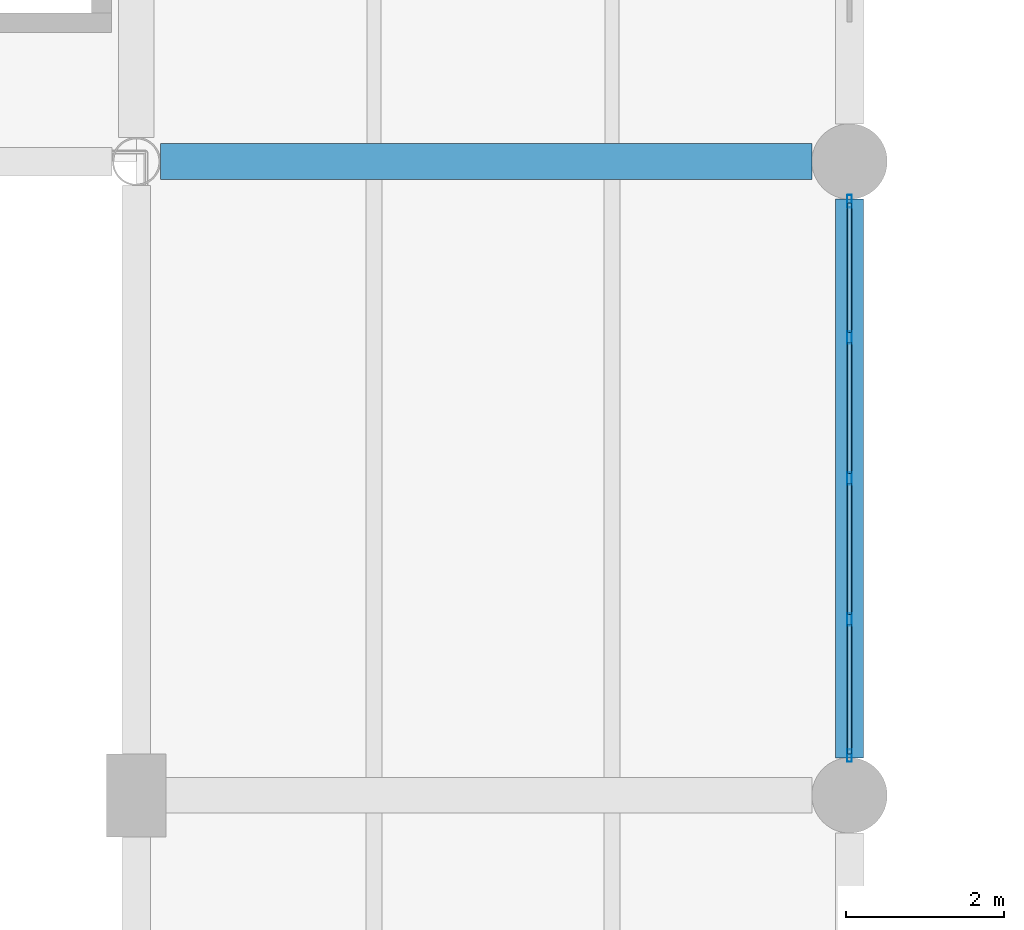
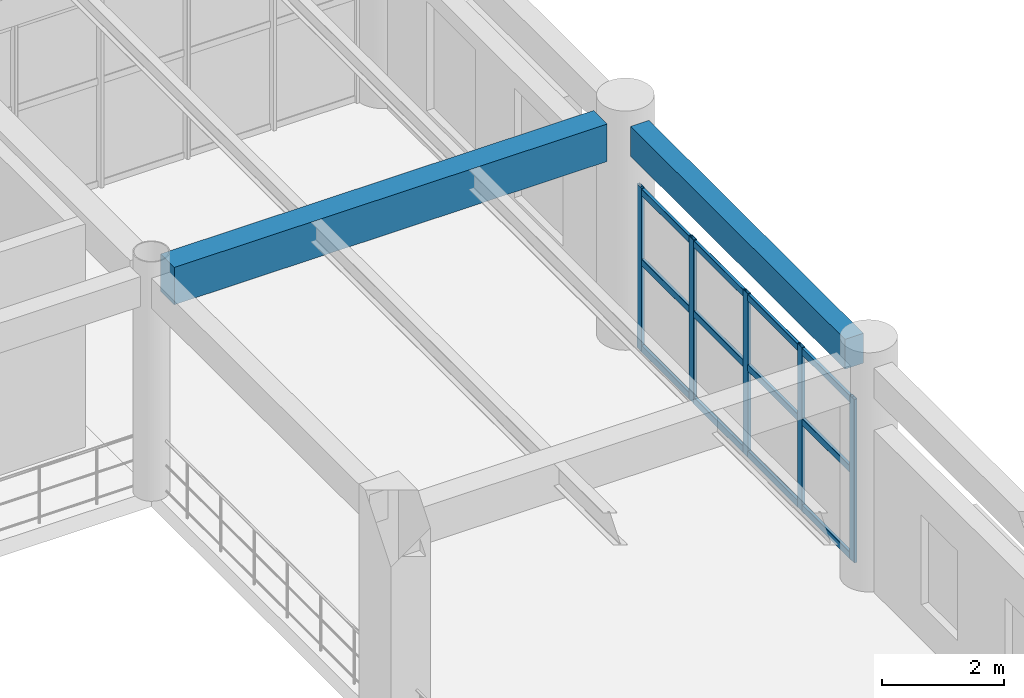
# One storey, part 98 of 178: 17 members, 2 beams, 1 element without a shape of its own.
"""IFC4 building model written with IfcOpenShell, lengths in metres."""

from ifc_helpers import new_model, si_unit, derived_unit, direction, frame, origin, origin_2d, place, context, subcontext, project, spatial, rectangle, hollow_rectangle, extrude, material, material_profile, profile_set, type_object, element, aggregate, save


model = new_model("IFC4")

# Units and contexts
model_context = context("Model", 3, precision=1e-05, world=origin(), true_north=direction((0.0, 1.0)))
body_context = subcontext(model_context, "Body", "Model", "MODEL_VIEW")
ifc_project = project(units=[si_unit("LENGTHUNIT", "METRE"), si_unit("AREAUNIT", "SQUARE_METRE"), si_unit("VOLUMEUNIT", "CUBIC_METRE"), si_unit("PLANEANGLEUNIT", "RADIAN"), si_unit("MASSUNIT", "GRAM", prefix="KILO"), derived_unit("THERMALTRANSMITTANCEUNIT", [(si_unit("MASSUNIT", "GRAM", prefix="KILO"), 1), (si_unit("TIMEUNIT", "SECOND"), -3), (si_unit("THERMODYNAMICTEMPERATUREUNIT", "KELVIN"), -1)])], contexts=[model_context])

# Site, building, storey
site_placement = place(None, origin())
site = spatial("IfcSite", under=ifc_project, at=site_placement, CompositionType="ELEMENT")
building_placement = place(site_placement, origin())
building = spatial("IfcBuilding", under=site, at=building_placement, Name="Zhenchuan Archway Interchange", CompositionType="ELEMENT")
storey_placement = place(building_placement, frame((0.0, 0.0, 5.39990234375)))
storey = spatial("IfcBuildingStorey", under=building, at=storey_placement, Name="L01", CompositionType="ELEMENT", Elevation=5.39990234375)

# Beam
ifc_material_1 = material(Name="Concrete C40", Category="concrete")
ifc_material_profile_1 = material_profile(ifc_material_1, rectangle(XDim=0.449951171875, YDim=0.75, at=origin_2d()), Name="RC 450x750")
ifc_profile_set_1 = profile_set([ifc_material_profile_1], Name="Concrete C40")
beam_type_1 = type_object("IfcBeamType", Name="BM_RC_450x750", PredefinedType="BEAM", material=ifc_profile_set_1)
beam_1_placement = place(storey_placement, frame((63.304931640625, 80.0, 4.135009765625), z_axis=(1.0, 0.0, 0.0), x_axis=(0.0, 1.0, 0.0)))
element("IfcBeam", 1, at=beam_1_placement, inside=storey, type_object=beam_type_1, Name="Beam L:8-9 (L01)", PredefinedType="BEAM", context=body_context, shape_type="SweptSolid", body=[
    extrude(rectangle(XDim=0.449951171875, YDim=0.75, at=origin_2d()), origin(), (0.0, 0.0, 1.0), 8.219970703125),
])

# Curtain wall, members
ifc_material_2 = material(Name="Anodised Aluminium", Category="aluminium")
curtain_wall_type = type_object("IfcCurtainWallType", Name="CW_UNIT_2", PredefinedType="NOTDEFINED", material=ifc_material_2)
curtain_wall_placement = place(storey_placement, origin())
curtain_wall = element("IfcCurtainWall", 2, at=curtain_wall_placement, inside=storey, type_object=curtain_wall_type, Name="Unitised curtain wall CW:L01:053", PredefinedType="NOTDEFINED")
ifc_material_profile_2 = material_profile(ifc_material_2, hollow_rectangle(XDim=0.06005859375, YDim=0.159912109375, WallThickness=0.00390625, InnerFilletRadius=0.00390625, OuterFilletRadius=0.008056640625, at=origin_2d()), Name="ALU 160x60x4")
ifc_profile_set_2 = profile_set([ifc_material_profile_2], Name="Anodised Aluminium")
member_type_1 = type_object("IfcMemberType", Name="CW_MUL_150", PredefinedType="MULLION", material=ifc_profile_set_2)
member_1_placement = place(storey_placement, frame((72.0, 79.498046875, 0.0), z_axis=(0.0, 0.0, 1.0), x_axis=(1.0, 0.0, 0.0)))
member_1 = element("IfcMember", 3, at=member_1_placement, type_object=member_type_1, Name="CW:L01:053 mullion 0", PredefinedType="MULLION", context=body_context, shape_type="SweptSolid", body=[
    extrude(hollow_rectangle(XDim=0.06005859375, YDim=0.159912109375, WallThickness=0.00390625, InnerFilletRadius=0.00390625, OuterFilletRadius=0.008056640625, at=origin_2d()), origin(), (0.0, 0.0, 1.0), 3.280029296875),
])
member_2_placement = place(storey_placement, frame((72.0, 77.779052734375, 0.0), z_axis=(0.0, 0.0, 1.0), x_axis=(1.0, 0.0, 0.0)))
member_2 = element("IfcMember", 4, at=member_2_placement, type_object=member_type_1, Name="CW:L01:053 mullion 1", PredefinedType="MULLION", context=body_context, shape_type="SweptSolid", body=[
    extrude(hollow_rectangle(XDim=0.06005859375, YDim=0.159912109375, WallThickness=0.00390625, InnerFilletRadius=0.00390625, OuterFilletRadius=0.008056640625, at=origin_2d()), origin(), (0.0, 0.0, 1.0), 3.280029296875),
])
member_3_placement = place(storey_placement, frame((72.0, 76.0, 0.0), z_axis=(0.0, 0.0, 1.0), x_axis=(1.0, 0.0, 0.0)))
member_3 = element("IfcMember", 5, at=member_3_placement, type_object=member_type_1, Name="CW:L01:053 mullion 2", PredefinedType="MULLION", context=body_context, shape_type="SweptSolid", body=[
    extrude(hollow_rectangle(XDim=0.06005859375, YDim=0.159912109375, WallThickness=0.00390625, InnerFilletRadius=0.00390625, OuterFilletRadius=0.008056640625, at=origin_2d()), origin(), (0.0, 0.0, 1.0), 3.280029296875),
])
member_4_placement = place(storey_placement, frame((72.0, 74.220947265625, 0.0), z_axis=(0.0, 0.0, 1.0), x_axis=(1.0, 0.0, 0.0)))
member_4 = element("IfcMember", 6, at=member_4_placement, type_object=member_type_1, Name="CW:L01:053 mullion 3", PredefinedType="MULLION", context=body_context, shape_type="SweptSolid", body=[
    extrude(hollow_rectangle(XDim=0.06005859375, YDim=0.159912109375, WallThickness=0.00390625, InnerFilletRadius=0.00390625, OuterFilletRadius=0.008056640625, at=origin_2d()), origin(), (0.0, 0.0, 1.0), 3.280029296875),
])
member_5_placement = place(storey_placement, frame((72.0, 72.501953125, 0.0), z_axis=(0.0, 0.0, 1.0), x_axis=(1.0, 0.0, 0.0)))
member_5 = element("IfcMember", 7, at=member_5_placement, type_object=member_type_1, Name="CW:L01:053 mullion 4", PredefinedType="MULLION", context=body_context, shape_type="SweptSolid", body=[
    extrude(hollow_rectangle(XDim=0.06005859375, YDim=0.159912109375, WallThickness=0.00390625, InnerFilletRadius=0.00390625, OuterFilletRadius=0.008056640625, at=origin_2d()), origin(), (0.0, 0.0, 1.0), 3.280029296875),
])
ifc_material_profile_3 = material_profile(ifc_material_2, hollow_rectangle(XDim=0.06005859375, YDim=0.139892578125, WallThickness=0.00341796875, InnerFilletRadius=0.00341796875, OuterFilletRadius=0.007080078125, at=origin_2d()), Name="ALU 140x60x3.5")
ifc_profile_set_3 = profile_set([ifc_material_profile_3], Name="Anodised Aluminium")
member_type_2 = type_object("IfcMemberType", Name="CW_TRN_140", PredefinedType="USERDEFINED", material=ifc_profile_set_3)
member_6_placement = place(storey_placement, frame((72.0, 79.47802734375, 0.06005859375), z_axis=(0.0, -1.0, 0.0), x_axis=(1.0, 0.0, 0.0)))
member_6 = element("IfcMember", 8, at=member_6_placement, type_object=member_type_2, Name="CW:L01:053 transom 0-1", ObjectType="TRANSOM", PredefinedType="USERDEFINED", context=body_context, shape_type="SweptSolid", body=[
    extrude(hollow_rectangle(XDim=0.06005859375, YDim=0.139892578125, WallThickness=0.00341796875, InnerFilletRadius=0.00341796875, OuterFilletRadius=0.007080078125, at=origin_2d()), origin(), (0.0, 0.0, 1.0), 1.638916015625),
])
member_7_placement = place(storey_placement, frame((72.0, 79.47802734375, 1.793212890625), z_axis=(0.0, -1.0, 0.0), x_axis=(1.0, 0.0, 0.0)))
member_7 = element("IfcMember", 9, at=member_7_placement, type_object=member_type_2, Name="CW:L01:053 transom 0-2", ObjectType="TRANSOM", PredefinedType="USERDEFINED", context=body_context, shape_type="SweptSolid", body=[
    extrude(hollow_rectangle(XDim=0.06005859375, YDim=0.139892578125, WallThickness=0.00341796875, InnerFilletRadius=0.00341796875, OuterFilletRadius=0.007080078125, at=origin_2d()), origin(), (0.0, 0.0, 1.0), 1.638916015625),
])
member_8_placement = place(storey_placement, frame((72.0, 79.47802734375, 3.2001953125), z_axis=(0.0, -1.0, 0.0), x_axis=(1.0, 0.0, 0.0)))
member_8 = element("IfcMember", 10, at=member_8_placement, type_object=member_type_2, Name="CW:L01:053 transom 0-3", ObjectType="TRANSOM", PredefinedType="USERDEFINED", context=body_context, shape_type="SweptSolid", body=[
    extrude(hollow_rectangle(XDim=0.06005859375, YDim=0.139892578125, WallThickness=0.00341796875, InnerFilletRadius=0.00341796875, OuterFilletRadius=0.007080078125, at=origin_2d()), origin(), (0.0, 0.0, 1.0), 1.638916015625),
])
member_9_placement = place(storey_placement, frame((72.0, 77.718994140625, 0.06005859375), z_axis=(0.0, -1.0, 0.0), x_axis=(1.0, 0.0, 0.0)))
member_9 = element("IfcMember", 11, at=member_9_placement, type_object=member_type_2, Name="CW:L01:053 transom 1-1", ObjectType="TRANSOM", PredefinedType="USERDEFINED", context=body_context, shape_type="SweptSolid", body=[
    extrude(hollow_rectangle(XDim=0.06005859375, YDim=0.139892578125, WallThickness=0.00341796875, InnerFilletRadius=0.00341796875, OuterFilletRadius=0.007080078125, at=origin_2d()), origin(), (0.0, 0.0, 1.0), 1.658935546875),
])
member_10_placement = place(storey_placement, frame((72.0, 77.718994140625, 1.793212890625), z_axis=(0.0, -1.0, 0.0), x_axis=(1.0, 0.0, 0.0)))
member_10 = element("IfcMember", 12, at=member_10_placement, type_object=member_type_2, Name="CW:L01:053 transom 1-2", ObjectType="TRANSOM", PredefinedType="USERDEFINED", context=body_context, shape_type="SweptSolid", body=[
    extrude(hollow_rectangle(XDim=0.06005859375, YDim=0.139892578125, WallThickness=0.00341796875, InnerFilletRadius=0.00341796875, OuterFilletRadius=0.007080078125, at=origin_2d()), origin(), (0.0, 0.0, 1.0), 1.658935546875),
])
member_11_placement = place(storey_placement, frame((72.0, 77.718994140625, 3.2001953125), z_axis=(0.0, -1.0, 0.0), x_axis=(1.0, 0.0, 0.0)))
member_11 = element("IfcMember", 13, at=member_11_placement, type_object=member_type_2, Name="CW:L01:053 transom 1-3", ObjectType="TRANSOM", PredefinedType="USERDEFINED", context=body_context, shape_type="SweptSolid", body=[
    extrude(hollow_rectangle(XDim=0.06005859375, YDim=0.139892578125, WallThickness=0.00341796875, InnerFilletRadius=0.00341796875, OuterFilletRadius=0.007080078125, at=origin_2d()), origin(), (0.0, 0.0, 1.0), 1.658935546875),
])
member_12_placement = place(storey_placement, frame((72.0, 75.93994140625, 0.06005859375), z_axis=(0.0, -1.0, 0.0), x_axis=(1.0, 0.0, 0.0)))
member_12 = element("IfcMember", 14, at=member_12_placement, type_object=member_type_2, Name="CW:L01:053 transom 2-1", ObjectType="TRANSOM", PredefinedType="USERDEFINED", context=body_context, shape_type="SweptSolid", body=[
    extrude(hollow_rectangle(XDim=0.06005859375, YDim=0.139892578125, WallThickness=0.00341796875, InnerFilletRadius=0.00341796875, OuterFilletRadius=0.007080078125, at=origin_2d()), origin(), (0.0, 0.0, 1.0), 1.658935546875),
])
member_13_placement = place(storey_placement, frame((72.0, 75.93994140625, 1.793212890625), z_axis=(0.0, -1.0, 0.0), x_axis=(1.0, 0.0, 0.0)))
member_13 = element("IfcMember", 15, at=member_13_placement, type_object=member_type_2, Name="CW:L01:053 transom 2-2", ObjectType="TRANSOM", PredefinedType="USERDEFINED", context=body_context, shape_type="SweptSolid", body=[
    extrude(hollow_rectangle(XDim=0.06005859375, YDim=0.139892578125, WallThickness=0.00341796875, InnerFilletRadius=0.00341796875, OuterFilletRadius=0.007080078125, at=origin_2d()), origin(), (0.0, 0.0, 1.0), 1.658935546875),
])
member_14_placement = place(storey_placement, frame((72.0, 75.93994140625, 3.2001953125), z_axis=(0.0, -1.0, 0.0), x_axis=(1.0, 0.0, 0.0)))
member_14 = element("IfcMember", 16, at=member_14_placement, type_object=member_type_2, Name="CW:L01:053 transom 2-3", ObjectType="TRANSOM", PredefinedType="USERDEFINED", context=body_context, shape_type="SweptSolid", body=[
    extrude(hollow_rectangle(XDim=0.06005859375, YDim=0.139892578125, WallThickness=0.00341796875, InnerFilletRadius=0.00341796875, OuterFilletRadius=0.007080078125, at=origin_2d()), origin(), (0.0, 0.0, 1.0), 1.658935546875),
])
member_15_placement = place(storey_placement, frame((72.0, 74.160888671875, 0.06005859375), z_axis=(0.0, -1.0, 0.0), x_axis=(1.0, 0.0, 0.0)))
member_15 = element("IfcMember", 17, at=member_15_placement, type_object=member_type_2, Name="CW:L01:053 transom 3-1", ObjectType="TRANSOM", PredefinedType="USERDEFINED", context=body_context, shape_type="SweptSolid", body=[
    extrude(hollow_rectangle(XDim=0.06005859375, YDim=0.139892578125, WallThickness=0.00341796875, InnerFilletRadius=0.00341796875, OuterFilletRadius=0.007080078125, at=origin_2d()), origin(), (0.0, 0.0, 1.0), 1.638916015625),
])
member_16_placement = place(storey_placement, frame((72.0, 74.160888671875, 1.793212890625), z_axis=(0.0, -1.0, 0.0), x_axis=(1.0, 0.0, 0.0)))
member_16 = element("IfcMember", 18, at=member_16_placement, type_object=member_type_2, Name="CW:L01:053 transom 3-2", ObjectType="TRANSOM", PredefinedType="USERDEFINED", context=body_context, shape_type="SweptSolid", body=[
    extrude(hollow_rectangle(XDim=0.06005859375, YDim=0.139892578125, WallThickness=0.00341796875, InnerFilletRadius=0.00341796875, OuterFilletRadius=0.007080078125, at=origin_2d()), origin(), (0.0, 0.0, 1.0), 1.638916015625),
])
member_17_placement = place(storey_placement, frame((72.0, 74.160888671875, 3.2001953125), z_axis=(0.0, -1.0, 0.0), x_axis=(1.0, 0.0, 0.0)))
member_17 = element("IfcMember", 19, at=member_17_placement, type_object=member_type_2, Name="CW:L01:053 transom 3-3", ObjectType="TRANSOM", PredefinedType="USERDEFINED", context=body_context, shape_type="SweptSolid", body=[
    extrude(hollow_rectangle(XDim=0.06005859375, YDim=0.139892578125, WallThickness=0.00341796875, InnerFilletRadius=0.00341796875, OuterFilletRadius=0.007080078125, at=origin_2d()), origin(), (0.0, 0.0, 1.0), 1.638916015625),
])
aggregate(curtain_wall, [member_1, member_2, member_3, member_4, member_5, member_6, member_7, member_8, member_9, member_10, member_11, member_12, member_13, member_14, member_15, member_16, member_17])

# Beam
ifc_material_profile_4 = material_profile(ifc_material_1, rectangle(XDim=0.35009765625, YDim=0.60009765625, at=origin_2d()), Name="RC 350x600")
ifc_profile_set_4 = profile_set([ifc_material_profile_4], Name="Concrete C40")
beam_type_2 = type_object("IfcBeamType", Name="SP_RC_350x600", PredefinedType="SPANDREL", material=ifc_profile_set_4)
beam_2_placement = place(storey_placement, frame((72.0, 72.47509765625, 4.210205078125), z_axis=(0.0, 1.0, 0.0), x_axis=(-1.0, 0.0, 0.0)))
element("IfcBeam", 20, at=beam_2_placement, inside=storey, type_object=beam_type_2, Name="Beam 9:K-L (L01)", PredefinedType="SPANDREL", context=body_context, shape_type="SweptSolid", body=[
    extrude(rectangle(XDim=0.35009765625, YDim=0.60009765625, at=origin_2d()), origin(), (0.0, 0.0, 1.0), 7.0498046875),
])

save(model, "model.ifc")
